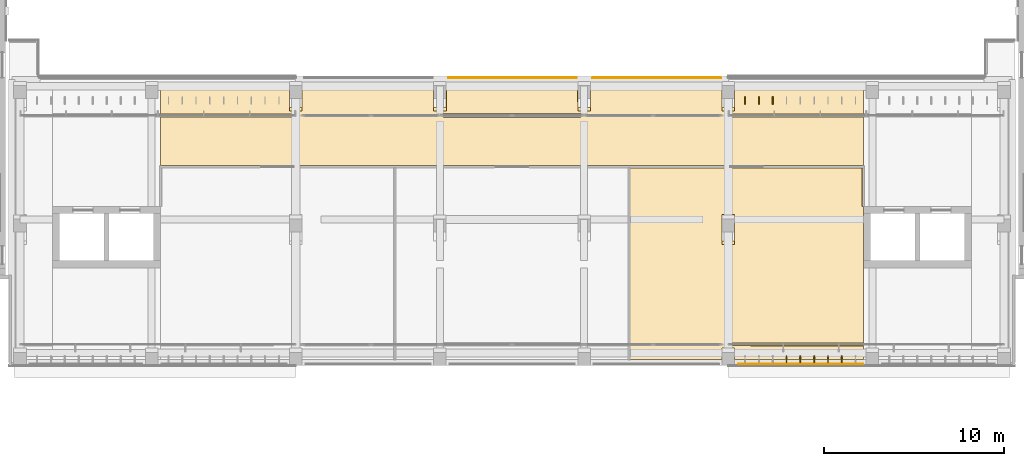
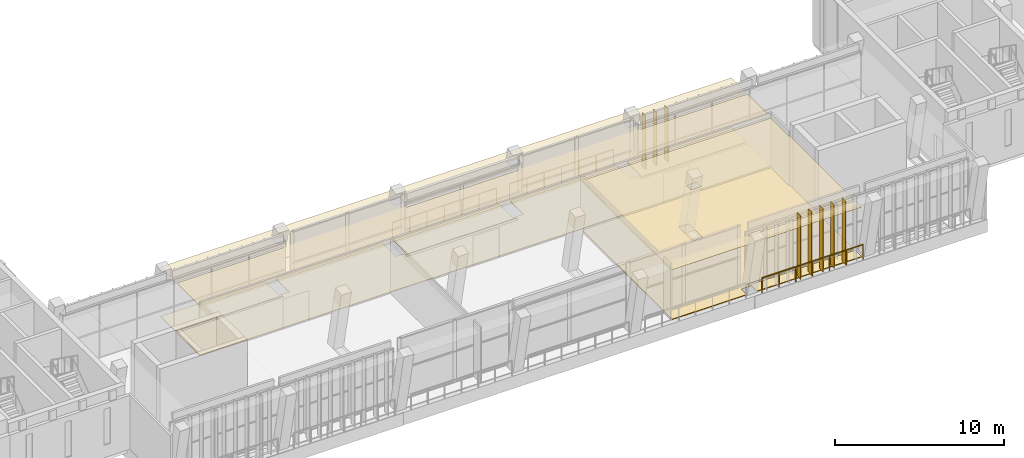
# One storey, part 56 of 73: 8 shading devices, 4 coverings, 3 railings.
"""IFC4 building model written with IfcOpenShell, lengths in metres."""

from ifc_helpers import new_model, si_unit, direction, frame, origin, origin_2d, place, context, subcontext, project, spatial, polyline, rectangle, circle, outline, extrude, material, layer, layer_set, type_object, element, save


model = new_model("IFC4")

# Units and contexts
model_context = context("Model", 3, precision=1e-05, world=origin(), true_north=direction((0.0, 1.0)))
body_context = subcontext(model_context, "Body", "Model", "MODEL_VIEW")
ifc_project = project(units=[si_unit("LENGTHUNIT", "METRE"), si_unit("AREAUNIT", "SQUARE_METRE"), si_unit("VOLUMEUNIT", "CUBIC_METRE"), si_unit("PLANEANGLEUNIT", "RADIAN"), si_unit("MASSUNIT", "GRAM", prefix="KILO")], contexts=[model_context])

# Site, building, storey
site_placement = place(None, origin())
site = spatial("IfcSite", under=ifc_project, at=site_placement, CompositionType="ELEMENT")
building_placement = place(site_placement, origin())
building = spatial("IfcBuilding", under=site, at=building_placement, Name="Lantern Court Media Centre", CompositionType="ELEMENT")
storey_placement = place(building_placement, frame((0.0, 0.0, 24.0)))
storey = spatial("IfcBuildingStorey", under=building, at=storey_placement, Name="L05", CompositionType="ELEMENT", Elevation=24.0)

# Covering
ifc_material_1 = material(Name="Carpet")
ifc_layer_1 = layer(ifc_material_1, 0.050048828125)
ifc_layer_set_1 = layer_set([ifc_layer_1], Name="Carpet")
covering_type_1 = type_object("IfcCoveringType", Name="Carpet floor finish", PredefinedType="FLOORING", material=ifc_layer_set_1)
covering_1_placement = place(storey_placement, origin())
element("IfcCovering", 1, at=covering_1_placement, inside=storey, type_object=covering_type_1, Name="Community Room 02 floor finish", PredefinedType="FLOORING", context=body_context, shape_type="SweptSolid", body=[
    extrude(outline(polyline([(71.5, 43.300048828125), (64.35498046875, 43.300048828125), (64.35009765625, 43.955078125), (63.646484375, 43.95361328125), (63.64501953125, 43.300048828125), (58.554931640625, 43.300048828125), (58.554931640625, 53.9326171875), (71.4326171875, 53.9326171875), (71.4326171875, 51.800048828125), (71.4951171875, 51.794921875), (71.5, 44.22998046875), (64.199951171875, 44.22998046875), (64.195068359375, 44.074951171875), (71.5, 44.070068359375), (71.5, 43.300048828125)]), holes=[polyline([(64.35009765625, 49.69091796875), (64.354736328125, 51.351806640625), (63.648193359375, 51.354736328125), (63.645263671875, 49.69384765625), (64.35009765625, 49.69091796875)])]), origin(), (0.0, 0.0, 1.0), 0.050048828125),
])

# Railings
ifc_material_2 = material(Name="Powder-coated steel", Category="steel")
railing_type = type_object("IfcRailingType", Name="Floor edge guard 1100", PredefinedType="GUARDRAIL", material=ifc_material_2)
for number, where, name in (
    (2, (48.48291015625, 58.93994140625, 0.0), "L05 edge guard 178"),
    (3, (56.48095703125, 58.93994140625, 0.0), "L05 edge guard 182"),
):
    element("IfcRailing", number, at=place(storey_placement, frame(where)), inside=storey, type_object=railing_type, Name=name, PredefinedType="GUARDRAIL", context=body_context, shape_type="SweptSolid", body=[
        extrude(circle(Radius=0.02392578125, at=origin_2d()), frame((0.0, 0.0, 1.076171875), z_axis=(1.0, 0.0, 0.0), x_axis=(0.0, 1.0, 0.0)), (0.0, 0.0, 1.0), 7.09814453125),
        extrude(circle(Radius=0.02099609375, at=origin_2d()), origin(), (0.0, 0.0, 1.0), 1.052001953125),
        extrude(circle(Radius=0.02099609375, at=origin_2d()), frame((1.18310546875, 0.0, 0.0)), (0.0, 0.0, 1.0), 1.052001953125),
        extrude(circle(Radius=0.02099609375, at=origin_2d()), frame((2.365966796875, 0.0, 0.0)), (0.0, 0.0, 1.0), 1.052001953125),
        extrude(circle(Radius=0.02099609375, at=origin_2d()), frame((3.549072265625, 0.0, 0.0)), (0.0, 0.0, 1.0), 1.052001953125),
        extrude(circle(Radius=0.02099609375, at=origin_2d()), frame((4.732177734375, 0.0, 0.0)), (0.0, 0.0, 1.0), 1.052001953125),
        extrude(circle(Radius=0.02099609375, at=origin_2d()), frame((5.9150390625, 0.0, 0.0)), (0.0, 0.0, 1.0), 1.052001953125),
        extrude(circle(Radius=0.02099609375, at=origin_2d()), frame((7.09814453125, 0.0, 0.0)), (0.0, 0.0, 1.0), 1.052001953125),
    ])
railing_placement = place(storey_placement, frame((71.4619140625, 43.06005859375, 0.0)))
element("IfcRailing", 4, at=railing_placement, inside=storey, type_object=railing_type, Name="L05 edge guard 186", PredefinedType="GUARDRAIL", context=body_context, shape_type="SweptSolid", body=[
    extrude(circle(Radius=0.02392578125, at=origin_2d()), frame((0.0, 0.0, 1.076171875), z_axis=(-1.0, 0.0, 0.0), x_axis=(0.0, -1.0, 0.0)), (0.0, 0.0, 1.0), 6.89794921875),
    extrude(circle(Radius=0.02099609375, at=origin_2d()), origin(), (0.0, 0.0, 1.0), 1.052001953125),
    extrude(circle(Radius=0.02099609375, at=origin_2d()), frame((-1.149658203125, 0.0, 0.0)), (0.0, 0.0, 1.0), 1.052001953125),
    extrude(circle(Radius=0.02099609375, at=origin_2d()), frame((-2.29931640625, 0.0, 0.0)), (0.0, 0.0, 1.0), 1.052001953125),
    extrude(circle(Radius=0.02099609375, at=origin_2d()), frame((-3.448974609375, 0.0, 0.0)), (0.0, 0.0, 1.0), 1.052001953125),
    extrude(circle(Radius=0.02099609375, at=origin_2d()), frame((-4.5986328125, 0.0, 0.0)), (0.0, 0.0, 1.0), 1.052001953125),
    extrude(circle(Radius=0.02099609375, at=origin_2d()), frame((-5.748291015625, 0.0, 0.0)), (0.0, 0.0, 1.0), 1.052001953125),
    extrude(circle(Radius=0.02099609375, at=origin_2d()), frame((-6.89794921875, 0.0, 0.0)), (0.0, 0.0, 1.0), 1.052001953125),
])

# Coverings
ifc_material_3 = material(Name="Mineral fibre ceiling tile")
ifc_layer_2 = layer(ifc_material_3, 0.02001953125)
ifc_layer_set_2 = layer_set([ifc_layer_2], Name="Mineral fibre ceiling tile")
covering_type_2 = type_object("IfcCoveringType", Name="Suspended ceiling tile", PredefinedType="CEILING", material=ifc_layer_set_2)
covering_2_placement = place(storey_placement, frame((0.0, 0.0, 3.60009765625)))
element("IfcCovering", 5, at=covering_2_placement, inside=storey, type_object=covering_type_2, Name="Community Room 02 ceiling", PredefinedType="CEILING", context=body_context, shape_type="SweptSolid", body=[
    extrude(outline(polyline([(71.5, 43.300048828125), (58.550537109375, 43.300048828125), (58.550537109375, 53.93701171875), (71.43701171875, 53.93701171875), (71.43701171875, 51.800048828125), (71.49951171875, 51.799560546875), (71.5, 44.2255859375), (64.199951171875, 44.2255859375), (64.199462890625, 44.074951171875), (71.5, 44.074462890625), (71.5, 43.300048828125)]), holes=[polyline([(64.3505859375, 50.395751953125), (63.649658203125, 50.396240234375), (63.649658203125, 49.897705078125), (64.350341796875, 49.8974609375), (64.3505859375, 50.395751953125)])]), origin(), (0.0, 0.0, 1.0), 0.02001953125),
])
covering_3_placement = place(storey_placement, frame((0.0, 0.0, 3.60009765625)))
element("IfcCovering", 6, at=covering_3_placement, inside=storey, type_object=covering_type_2, Name="Corridor ceiling", PredefinedType="CEILING", context=body_context, shape_type="SweptSolid", body=[
    extrude(outline(polyline([(71.5, 54.06298828125), (32.5, 54.06298828125), (32.5, 56.7744140625), (39.800537109375, 56.77490234375), (39.800048828125, 56.925537109375), (32.5, 56.925537109375), (32.5, 58.699951171875), (71.5, 58.699951171875), (71.5, 56.925537109375), (64.199462890625, 56.925048828125), (64.199951171875, 56.7744140625), (71.5, 56.7744140625), (71.5, 54.06298828125)]), holes=[polyline([(64.3505859375, 57.7958984375), (63.649658203125, 57.796142578125), (63.649658203125, 57.297607421875), (64.350341796875, 57.29736328125), (64.3505859375, 57.7958984375)]), polyline([(56.3505859375, 57.7958984375), (55.649658203125, 57.796142578125), (55.649658203125, 57.297607421875), (56.350341796875, 57.29736328125), (56.3505859375, 57.7958984375)]), polyline([(48.199462890625, 56.75), (55.800048828125, 56.74951171875), (55.800537109375, 56.949951171875), (48.199951171875, 56.950439453125), (48.199462890625, 56.75)]), polyline([(48.35009765625, 57.29736328125), (48.350341796875, 57.796142578125), (47.649658203125, 57.796142578125), (47.649658203125, 57.29736328125), (48.35009765625, 57.29736328125)]), polyline([(40.3505859375, 57.7958984375), (39.649658203125, 57.796142578125), (39.649658203125, 57.297607421875), (40.350341796875, 57.29736328125), (40.3505859375, 57.7958984375)])]), origin(), (0.0, 0.0, 1.0), 0.02001953125),
])
ifc_material_4 = material(Name="Terrazzo")
ifc_layer_3 = layer(ifc_material_4, 0.050048828125)
ifc_layer_set_3 = layer_set([ifc_layer_3], Name="Terrazzo")
covering_type_3 = type_object("IfcCoveringType", Name="Terrazzo floor finish", PredefinedType="FLOORING", material=ifc_layer_set_3)
covering_4_placement = place(storey_placement, origin())
element("IfcCovering", 7, at=covering_4_placement, inside=storey, type_object=covering_type_3, Name="Corridor floor finish", PredefinedType="FLOORING", context=body_context, shape_type="SweptSolid", body=[
    extrude(outline(polyline([(71.5, 54.0673828125), (32.5, 54.0673828125), (32.5, 56.77001953125), (39.804931640625, 56.77490234375), (39.800048828125, 56.929931640625), (32.5, 56.929931640625), (32.5, 58.699951171875), (39.64501953125, 58.699951171875), (39.64990234375, 57.0908203125), (40.354736328125, 57.093994140625), (40.35498046875, 58.699951171875), (47.64501953125, 58.699951171875), (47.64990234375, 57.0908203125), (48.354736328125, 57.093994140625), (48.35498046875, 58.699951171875), (55.64501953125, 58.699951171875), (55.64990234375, 57.0908203125), (56.354736328125, 57.093994140625), (56.35498046875, 58.699951171875), (63.64501953125, 58.699951171875), (63.64990234375, 57.0908203125), (64.354736328125, 57.093994140625), (64.35498046875, 58.699951171875), (71.5, 58.699951171875), (71.5, 56.929931640625), (64.195068359375, 56.925048828125), (64.199951171875, 56.77001953125), (71.5, 56.77001953125), (71.5, 54.0673828125)]), holes=[polyline([(48.195068359375, 56.75), (55.800048828125, 56.7451171875), (55.804931640625, 56.949951171875), (48.199951171875, 56.955078125), (48.195068359375, 56.75)])]), origin(), (0.0, 0.0, 1.0), 0.050048828125),
])

# Shading devices
ifc_material_5 = material(Name="Bronze anodised aluminium louvre", Category="aluminium")
ifc_layer_4 = layer(ifc_material_5, 0.0400390625)
ifc_layer_set_4 = layer_set([ifc_layer_4], Name="Bronze anodised aluminium louvre")
shading_device_type_1 = type_object("IfcShadingDeviceType", Name="Vertical louvre 40x400 full storey", PredefinedType="USERDEFINED", material=ifc_layer_set_4)
for number, where, z_axis, x_axis, name in (
    (8, (67.2333984375, 43.320068359375, 0.0), (0.0, 0.0, 1.0), (1.0, 0.0, 0.0), "Vertical louvre S outer L05"),
    (9, (68.0, 43.320068359375, 0.0), (0.0, 0.0, 1.0), (1.0, 0.0, 0.0), "Vertical louvre S outer L05"),
    (10, (68.7666015625, 43.320068359375, 0.0), (0.0, 0.0, 1.0), (1.0, 0.0, 0.0), "Vertical louvre S outer L05"),
    (11, (69.533447265625, 43.320068359375, 0.0), (0.0, 0.0, 1.0), (1.0, 0.0, 0.0), "Vertical louvre S outer L05"),
    (12, (70.300048828125, 43.320068359375, 0.0), (0.0, 0.0, 1.0), (1.0, 0.0, 0.0), "Vertical louvre S outer L05"),
):
    element("IfcShadingDevice", number, at=place(storey_placement, frame(where, z_axis=z_axis, x_axis=x_axis)), inside=storey, type_object=shading_device_type_1, Name=name, ObjectType="VERTICAL LOUVRE", PredefinedType="USERDEFINED", context=body_context, shape_type="SweptSolid", body=[
        extrude(rectangle(XDim=0.0400390625, YDim=0.39990234375, at=origin_2d()), origin(), (0.0, 0.0, 1.0), 4.580078125),
    ])
ifc_layer_5 = layer(ifc_material_5, 0.0400390625)
ifc_layer_set_5 = layer_set([ifc_layer_5], Name="Bronze anodised aluminium louvre")
shading_device_type_2 = type_object("IfcShadingDeviceType", Name="Vertical louvre 40x400 under beam", PredefinedType="USERDEFINED", material=ifc_layer_set_5)
for number, where, z_axis, x_axis, name in (
    (13, (64.933349609375, 57.679931640625, 0.0), (0.0, 0.0, 1.0), (1.0, 0.0, 0.0), "Vertical louvre S inner L05"),
    (14, (65.699951171875, 57.679931640625, 0.0), (0.0, 0.0, 1.0), (1.0, 0.0, 0.0), "Vertical louvre S inner L05"),
    (15, (66.466552734375, 57.679931640625, 0.0), (0.0, 0.0, 1.0), (1.0, 0.0, 0.0), "Vertical louvre S inner L05"),
):
    element("IfcShadingDevice", number, at=place(storey_placement, frame(where, z_axis=z_axis, x_axis=x_axis)), inside=storey, type_object=shading_device_type_2, Name=name, ObjectType="VERTICAL LOUVRE", PredefinedType="USERDEFINED", context=body_context, shape_type="SweptSolid", body=[
        extrude(rectangle(XDim=0.0400390625, YDim=0.39990234375, at=origin_2d()), origin(), (0.0, 0.0, 1.0), 3.89990234375),
    ])

save(model, "model.ifc")
